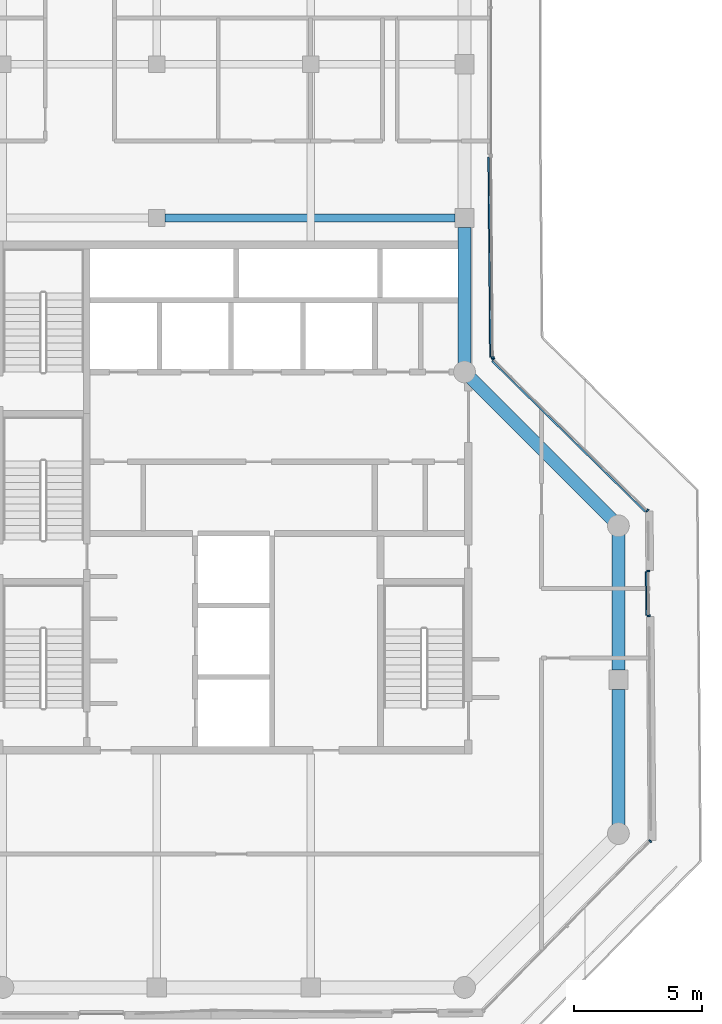
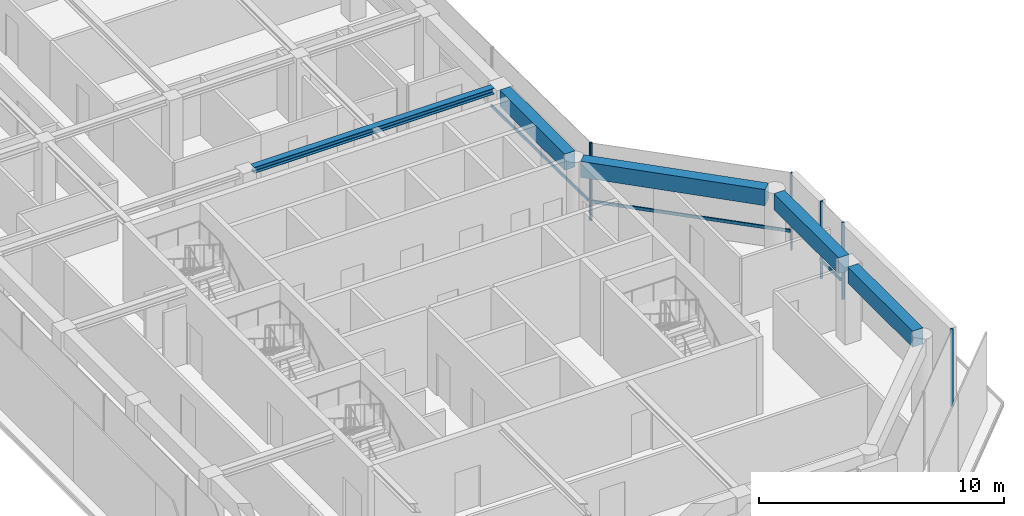
# One storey, part 5 of 18: 9 members, 5 beams, 4 elements without a shape of their own.
"""IFC4 building model written with IfcOpenShell, lengths in metres."""

from ifc_helpers import new_model, si_unit, direction, frame, origin, origin_2d, place, context, subcontext, project, spatial, rectangle, i_section, extrude, material, layer, layer_set, material_profile, profile_set, type_object, element, aggregate, save


model = new_model("IFC4")

# Units and contexts
model_context = context("Model", 3, precision=1e-05, world=origin(), true_north=direction((0.0, 1.0)))
body_context = subcontext(model_context, "Body", "Model", "MODEL_VIEW")
ifc_project = project(units=[si_unit("LENGTHUNIT", "METRE"), si_unit("AREAUNIT", "SQUARE_METRE"), si_unit("VOLUMEUNIT", "CUBIC_METRE"), si_unit("PLANEANGLEUNIT", "RADIAN"), si_unit("MASSUNIT", "GRAM", prefix="KILO")], contexts=[model_context])

# Site, building, storey
site_placement = place(None, origin())
site = spatial("IfcSite", under=ifc_project, at=site_placement, CompositionType="ELEMENT")
building_placement = place(site_placement, origin())
building = spatial("IfcBuilding", under=site, at=building_placement, Name="Welwitschia Terrace Campus", CompositionType="ELEMENT")
storey_placement = place(building_placement, frame((0.0, 0.0, 289.39990234375)))
storey = spatial("IfcBuildingStorey", under=building, at=storey_placement, Name="L64", CompositionType="ELEMENT", Elevation=289.39990234375)

# Beam
ifc_material_1 = material(Name="Steel S355", Category="steel")
ifc_material_profile_1 = material_profile(ifc_material_1, i_section(OverallWidth=0.300048828125, OverallDepth=0.300048828125, WebThickness=0.010986328125, FlangeThickness=0.01904296875, FilletRadius=0.027099609375, at=origin_2d()))
ifc_profile_set_1 = profile_set([ifc_material_profile_1], Name="Steel S355")
beam_type_1 = type_object("IfcBeamType", Name="Interior girder HE 300 B", PredefinedType="BEAM", material=ifc_profile_set_1)
beam_1_placement = place(storey_placement, frame((12.325439453125, 26.0, 3.7001953125), z_axis=(1.0, 0.0, 0.0), x_axis=(0.0, 1.0, 0.0)))
element("IfcBeam", 1, at=beam_1_placement, inside=storey, type_object=beam_type_1, Name="Girder GB6", PredefinedType="BEAM", context=body_context, shape_type="SweptSolid", body=[
    extrude(i_section(OverallWidth=0.300048828125, OverallDepth=0.300048828125, WebThickness=0.010986328125, FlangeThickness=0.01904296875, FilletRadius=0.027099609375, at=origin_2d()), origin(), (0.0, 0.0, 1.0), 11.30908203125),
])

# Curtain wall, member
ifc_material_2 = material(Name="Bronze anodised aluminium", Category="aluminium")
ifc_layer = layer(ifc_material_2, 0.1201171875)
ifc_layer_set = layer_set([ifc_layer], Name="Bronze anodised aluminium")
curtain_wall_type = type_object("IfcCurtainWallType", Name="Curtain wall CW2 tower 6000", PredefinedType="NOTDEFINED", material=ifc_layer_set)
curtain_wall_1_placement = place(storey_placement, origin())
curtain_wall_1 = element("IfcCurtainWall", 2, at=curtain_wall_1_placement, inside=storey, type_object=curtain_wall_type, Name="CW L64.5.0", PredefinedType="NOTDEFINED")
ifc_material_3 = material(Name="Bronze anodised aluminium", Category="aluminium")
ifc_material_profile_2 = material_profile(ifc_material_3, rectangle(XDim=0.1201171875, YDim=0.06005859375, at=origin_2d()))
ifc_profile_set_2 = profile_set([ifc_material_profile_2], Name="Bronze anodised aluminium")
member_type_1 = type_object("IfcMemberType", Name="Mullion 60x120", PredefinedType="MULLION", material=ifc_profile_set_2)
member_1_placement = place(storey_placement, frame((31.242431640625, 1.701904296875, 0.0), z_axis=(0.0, 0.0, 1.0), x_axis=(-0.713250449154, 0.7009092643, 0.0)))
member_1 = element("IfcMember", 3, at=member_1_placement, type_object=member_type_1, Name="Mullion L64.5.0.2", PredefinedType="MULLION", context=body_context, shape_type="SweptSolid", body=[
    extrude(rectangle(XDim=0.1201171875, YDim=0.06005859375, at=origin_2d()), origin(), (0.0, 0.0, 1.0), 3.85009765625),
])
aggregate(curtain_wall_1, [member_1])

# Curtain wall, members
curtain_wall_2_placement = place(storey_placement, origin())
curtain_wall_2 = element("IfcCurtainWall", 4, at=curtain_wall_2_placement, inside=storey, type_object=curtain_wall_type, Name="CW L64.6.S0", PredefinedType="NOTDEFINED")
member_2_placement = place(storey_placement, frame((31.186767578125, 10.492919921875, 0.0), z_axis=(0.0, 0.0, 1.0), x_axis=(-0.999961923064, -0.008726535498, 0.0)))
member_2 = element("IfcMember", 5, at=member_2_placement, type_object=member_type_1, Name="Mullion L64.6.S0.0", PredefinedType="MULLION", context=body_context, shape_type="SweptSolid", body=[
    extrude(rectangle(XDim=0.1201171875, YDim=0.06005859375, at=origin_2d()), origin(), (0.0, 0.0, 1.0), 3.85009765625),
])
member_3_placement = place(storey_placement, frame((31.171630859375, 12.23291015625, 0.0), z_axis=(0.0, 0.0, 1.0), x_axis=(-0.999961923064, -0.008726535498, 0.0)))
member_3 = element("IfcMember", 6, at=member_3_placement, type_object=member_type_1, Name="Mullion L64.6.S0.1", PredefinedType="MULLION", context=body_context, shape_type="SweptSolid", body=[
    extrude(rectangle(XDim=0.1201171875, YDim=0.06005859375, at=origin_2d()), origin(), (0.0, 0.0, 1.0), 3.85009765625),
])

curtain_wall_3_placement = place(storey_placement, origin())
curtain_wall_3 = element("IfcCurtainWall", 7, at=curtain_wall_3_placement, inside=storey, type_object=curtain_wall_type, Name="CW L64.7.0", PredefinedType="NOTDEFINED")
member_4_placement = place(storey_placement, frame((31.1298828125, 14.59716796875, 0.0), z_axis=(0.0, 0.0, 1.0), x_axis=(-0.7009092643, -0.713250449154, 0.0)))
member_4 = element("IfcMember", 8, at=member_4_placement, type_object=member_type_1, Name="Mullion L64.7.0.0", PredefinedType="MULLION", context=body_context, shape_type="SweptSolid", body=[
    extrude(rectangle(XDim=0.1201171875, YDim=0.06005859375, at=origin_2d()), origin(), (0.0, 0.0, 1.0), 3.85009765625),
])
member_5_placement = place(storey_placement, frame((25.120361328125, 20.50244140625, 0.0), z_axis=(0.0, 0.0, 1.0), x_axis=(-0.7009092643, -0.713250449154, 0.0)))
member_5 = element("IfcMember", 9, at=member_5_placement, type_object=member_type_1, Name="Mullion L64.7.0.1", PredefinedType="MULLION", context=body_context, shape_type="SweptSolid", body=[
    extrude(rectangle(XDim=0.1201171875, YDim=0.06005859375, at=origin_2d()), origin(), (0.0, 0.0, 1.0), 3.85009765625),
])

# Curtain wall, member
curtain_wall_4_placement = place(storey_placement, origin())
curtain_wall_4 = element("IfcCurtainWall", 10, at=curtain_wall_4_placement, inside=storey, type_object=curtain_wall_type, Name="CW L64.8.0", PredefinedType="NOTDEFINED")
member_6_placement = place(storey_placement, frame((25.098876953125, 20.553466796875, 0.0), z_axis=(0.0, 0.0, 1.0), x_axis=(-0.999961923064, -0.008726535498, 0.0)))
member_6 = element("IfcMember", 11, at=member_6_placement, type_object=member_type_1, Name="Mullion L64.8.0.0", PredefinedType="MULLION", context=body_context, shape_type="SweptSolid", body=[
    extrude(rectangle(XDim=0.1201171875, YDim=0.06005859375, at=origin_2d()), origin(), (0.0, 0.0, 1.0), 3.85009765625),
])

# Beams
ifc_material_4 = material(Name="Concrete C50/60", Category="concrete")
ifc_material_profile_3 = material_profile(ifc_material_4, rectangle(XDim=0.5, YDim=0.800048828125, at=origin_2d()))
ifc_profile_set_3 = profile_set([ifc_material_profile_3], Name="Concrete C50/60")
beam_type_2 = type_object("IfcBeamType", Name="Ring spandrel 500x800", PredefinedType="SPANDREL", material=ifc_profile_set_3)
for number, where, z_axis, x_axis, name in (
    (12, (30.0, 2.344482421875, 3.4501953125), (0.0, 1.0, 0.0), (-1.0, 0.0, 0.0), "Spandrel SP4"),
    (13, (30.0, 8.37548828125, 3.4501953125), (0.0, 1.0, 0.0), (-1.0, 0.0, 0.0), "Spandrel SP4"),
):
    element("IfcBeam", number, at=place(storey_placement, frame(where, z_axis=z_axis, x_axis=x_axis)), inside=storey, type_object=beam_type_2, Name=name, PredefinedType="SPANDREL", context=body_context, shape_type="SweptSolid", body=[
        extrude(rectangle(XDim=0.5, YDim=0.800048828125, at=origin_2d()), origin(), (0.0, 0.0, 1.0), 5.280029296875),
    ])
beam_2_placement = place(storey_placement, frame((29.75634765625, 14.24365234375, 3.4501953125), z_axis=(-0.707106781187, 0.707106781187, 0.0), x_axis=(-0.707106781187, -0.707106781187, 0.0)))
element("IfcBeam", 14, at=beam_2_placement, inside=storey, type_object=beam_type_2, Name="Spandrel SP4", PredefinedType="SPANDREL", context=body_context, shape_type="SweptSolid", body=[
    extrude(rectangle(XDim=0.5, YDim=0.800048828125, at=origin_2d()), origin(), (0.0, 0.0, 1.0), 7.796142578125),
])
beam_3_placement = place(storey_placement, frame((24.0, 20.344482421875, 3.4501953125), z_axis=(0.0, 1.0, 0.0), x_axis=(-1.0, 0.0, 0.0)))
element("IfcBeam", 15, at=beam_3_placement, inside=storey, type_object=beam_type_2, Name="Spandrel SP4", PredefinedType="SPANDREL", context=body_context, shape_type="SweptSolid", body=[
    extrude(rectangle(XDim=0.5, YDim=0.800048828125, at=origin_2d()), origin(), (0.0, 0.0, 1.0), 5.280029296875),
])

# Member
ifc_material_5 = material(Name="Bronze anodised aluminium", Category="aluminium")
ifc_material_profile_4 = material_profile(ifc_material_5, rectangle(XDim=0.06005859375, YDim=0.14990234375, at=origin_2d()))
ifc_profile_set_4 = profile_set([ifc_material_profile_4], Name="Bronze anodised aluminium")
member_type_2 = type_object("IfcMemberType", Name="Transom 60x150", PredefinedType="USERDEFINED", material=ifc_profile_set_4)
member_7_placement = place(storey_placement, frame((31.0966796875, 10.52197265625, 1.0), z_axis=(-0.008864642233, 0.999960708287, 0.0), x_axis=(-0.999960708287, -0.008864642233, 0.0)))
member_7 = element("IfcMember", 16, at=member_7_placement, type_object=member_type_2, Name="Transom L64.6.S0", ObjectType="TRANSOM", PredefinedType="USERDEFINED", context=body_context, shape_type="SweptSolid", body=[
    extrude(rectangle(XDim=0.06005859375, YDim=0.14990234375, at=origin_2d()), origin(), (0.0, 0.0, 1.0), 1.679931640625),
])

aggregate(curtain_wall_2, [member_2, member_3, member_7])

member_8_placement = place(storey_placement, frame((31.04541015625, 14.553955078125, 1.0), z_axis=(-0.71325246864, 0.70090720925, 0.0), x_axis=(-0.70090720925, -0.71325246864, 0.0)))
member_8 = element("IfcMember", 17, at=member_8_placement, type_object=member_type_2, Name="Transom L64.7.0", ObjectType="TRANSOM", PredefinedType="USERDEFINED", context=body_context, shape_type="SweptSolid", body=[
    extrude(rectangle(XDim=0.06005859375, YDim=0.14990234375, at=origin_2d()), origin(), (0.0, 0.0, 1.0), 8.365234375),
])

aggregate(curtain_wall_3, [member_4, member_5, member_8])

member_9_placement = place(storey_placement, frame((25.008544921875, 20.582763671875, 1.0), z_axis=(-0.008740541446, 0.999961800738, 0.0), x_axis=(-0.999961800738, -0.008740541446, 0.0)))
member_9 = element("IfcMember", 18, at=member_9_placement, type_object=member_type_2, Name="Transom L64.8.0", ObjectType="TRANSOM", PredefinedType="USERDEFINED", context=body_context, shape_type="SweptSolid", body=[
    extrude(rectangle(XDim=0.06005859375, YDim=0.14990234375, at=origin_2d()), origin(), (0.0, 0.0, 1.0), 7.79296875),
])

aggregate(curtain_wall_4, [member_6, member_9])

save(model, "model.ifc")
